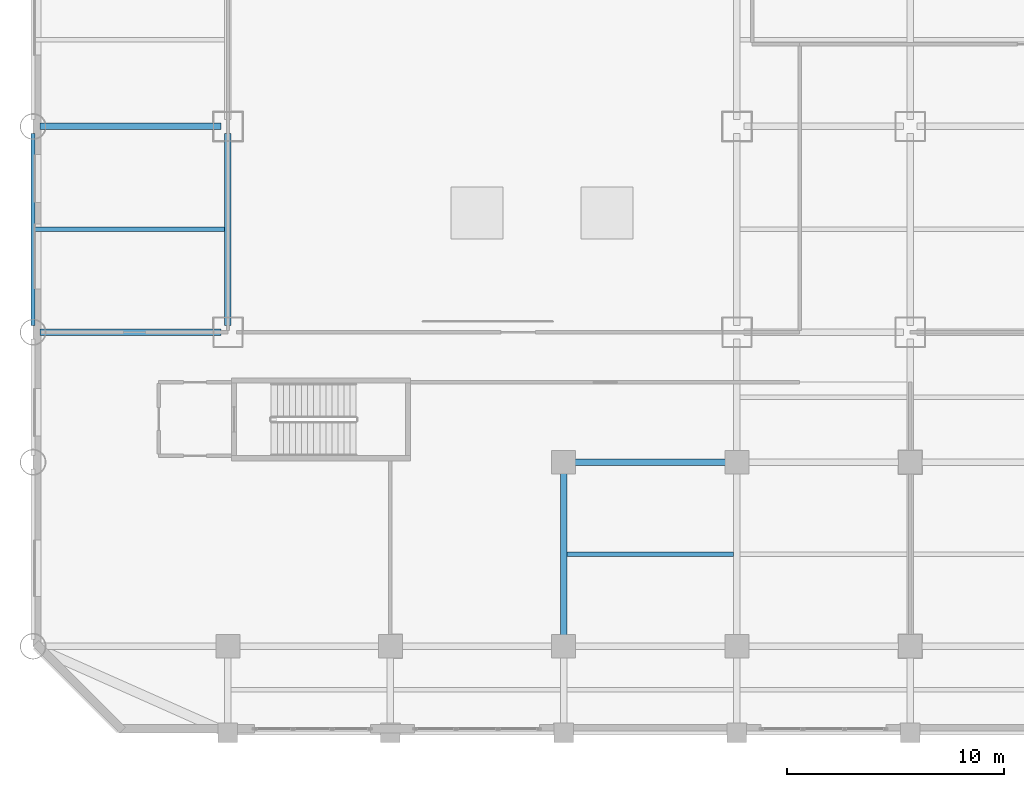
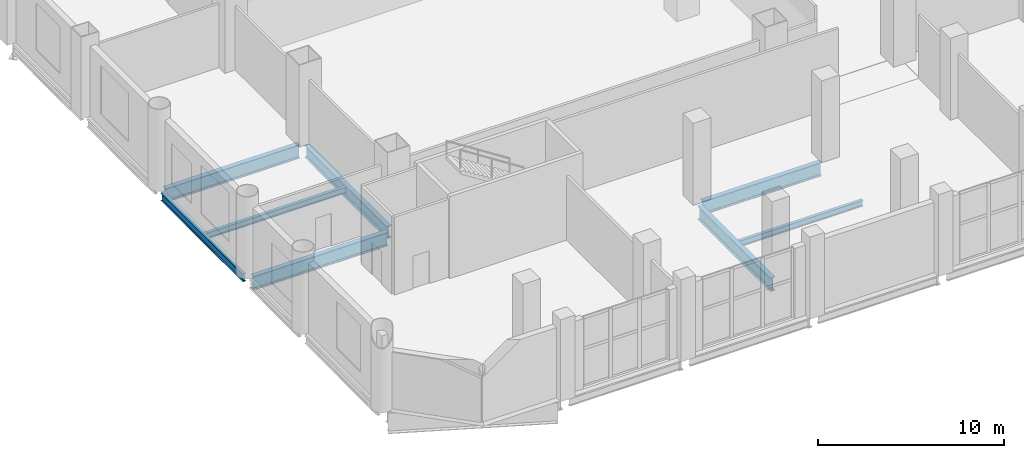
# One storey, part 5 of 18: 8 beams.
"""IFC4 building model written with IfcOpenShell, lengths in metres."""

from ifc_helpers import new_model, si_unit, direction, frame, origin, origin_2d, place, context, subcontext, project, spatial, i_section, extrude, material, material_profile, profile_set, type_object, element, save


model = new_model("IFC4")

# Units and contexts
model_context = context("Model", 3, precision=1e-05, world=origin(), true_north=direction((0.0, 1.0)))
body_context = subcontext(model_context, "Body", "Model", "MODEL_VIEW")
ifc_project = project(units=[si_unit("LENGTHUNIT", "METRE"), si_unit("AREAUNIT", "SQUARE_METRE"), si_unit("VOLUMEUNIT", "CUBIC_METRE"), si_unit("PLANEANGLEUNIT", "RADIAN"), si_unit("MASSUNIT", "GRAM", prefix="KILO")], contexts=[model_context])

# Site, building, storey
site_placement = place(None, origin())
site = spatial("IfcSite", under=ifc_project, at=site_placement, CompositionType="ELEMENT")
building_placement = place(site_placement, origin())
building = spatial("IfcBuilding", under=site, at=building_placement, Name="Qianrong Seaharbour Tower", CompositionType="ELEMENT")
storey_placement = place(building_placement, frame((0.0, 0.0, 6.0)))
storey = spatial("IfcBuildingStorey", under=building, at=storey_placement, Name="L02", CompositionType="ELEMENT", Elevation=6.0)

# Beams
ifc_material_1 = material(Name="Structural steel SN490B", Category="steel")
ifc_material_profile_1 = material_profile(ifc_material_1, i_section(OverallWidth=0.300048828125, OverallDepth=0.800048828125, WebThickness=0.013916015625, FlangeThickness=0.02587890625, FilletRadius=0.028076171875, at=origin_2d()), Name="H800x300x14x26")
ifc_profile_set_1 = profile_set([ifc_material_profile_1], Name="Structural steel SN490B")
beam_type_1 = type_object("IfcBeamType", Name="BM-G-800", PredefinedType="BEAM", material=ifc_profile_set_1)
beam_1_placement = place(storey_placement, frame((9.0, 18.820068359375, -0.679931640625), z_axis=(0.0, 1.0, 0.0), x_axis=(-1.0, 0.0, 0.0)))
element("IfcBeam", 1, at=beam_1_placement, inside=storey, type_object=beam_type_1, Name="L02 Primary Girder G2 GD-GE", PredefinedType="BEAM", context=body_context, shape_type="SweptSolid", body=[
    extrude(i_section(OverallWidth=0.300048828125, OverallDepth=0.800048828125, WebThickness=0.013916015625, FlangeThickness=0.02587890625, FilletRadius=0.028076171875, at=origin_2d()), origin(), (0.0, 0.0, 1.0), 8.85986328125),
])
ifc_material_profile_2 = material_profile(ifc_material_1, i_section(OverallWidth=0.300048828125, OverallDepth=0.89990234375, WebThickness=0.01611328125, FlangeThickness=0.028076171875, FilletRadius=0.028076171875, at=origin_2d()), Name="H900x300x16x28")
ifc_profile_set_2 = profile_set([ifc_material_profile_2], Name="Structural steel SN490B")
beam_type_2 = type_object("IfcBeamType", Name="BM-G-900", PredefinedType="BEAM", material=ifc_profile_set_2)
beam_2_placement = place(storey_placement, frame((24.820068359375, 12.5, -0.72998046875), z_axis=(1.0, 0.0, 0.0), x_axis=(0.0, 1.0, 0.0)))
element("IfcBeam", 2, at=beam_2_placement, inside=storey, type_object=beam_type_2, Name="L02 Primary Girder GC G4-G5", PredefinedType="BEAM", context=body_context, shape_type="SweptSolid", body=[
    extrude(i_section(OverallWidth=0.300048828125, OverallDepth=0.89990234375, WebThickness=0.01611328125, FlangeThickness=0.028076171875, FilletRadius=0.028076171875, at=origin_2d()), origin(), (0.0, 0.0, 1.0), 7.35986328125),
])
for number, where, z_axis, x_axis, name in (
    (3, (0.320068359375, 18.5, -0.72998046875), (1.0, 0.0, 0.0), (0.0, 1.0, 0.0), "L02 Primary Girder GD G1-G2"),
    (4, (0.320068359375, 28.0, -0.72998046875), (1.0, 0.0, 0.0), (0.0, 1.0, 0.0), "L02 Primary Girder GE G1-G2"),
):
    element("IfcBeam", number, at=place(storey_placement, frame(where, z_axis=z_axis, x_axis=x_axis)), inside=storey, type_object=beam_type_2, Name=name, PredefinedType="BEAM", context=body_context, shape_type="SweptSolid", body=[
        extrude(i_section(OverallWidth=0.300048828125, OverallDepth=0.89990234375, WebThickness=0.01611328125, FlangeThickness=0.028076171875, FilletRadius=0.028076171875, at=origin_2d()), origin(), (0.0, 0.0, 1.0), 8.35986328125),
    ])
beam_3_placement = place(storey_placement, frame((24.5, 4.320068359375, -0.72998046875), z_axis=(0.0, 1.0, 0.0), x_axis=(-1.0, 0.0, 0.0)))
element("IfcBeam", 5, at=beam_3_placement, inside=storey, type_object=beam_type_2, Name="L02 Primary Girder G4 GB-GC", PredefinedType="BEAM", context=body_context, shape_type="SweptSolid", body=[
    extrude(i_section(OverallWidth=0.300048828125, OverallDepth=0.89990234375, WebThickness=0.01611328125, FlangeThickness=0.028076171875, FilletRadius=0.028076171875, at=origin_2d()), origin(), (0.0, 0.0, 1.0), 7.85986328125),
])
ifc_material_2 = material(Name="Structural steel SN400B", Category="steel")
ifc_material_profile_3 = material_profile(ifc_material_2, i_section(OverallWidth=0.199951171875, OverallDepth=0.39990234375, WebThickness=0.008056640625, FlangeThickness=0.012939453125, FilletRadius=0.01611328125, at=origin_2d()), Name="H400x200x8x13")
ifc_profile_set_3 = profile_set([ifc_material_profile_3], Name="Structural steel SN400B")
beam_type_3 = type_object("IfcBeamType", Name="BM-J-400", PredefinedType="JOIST", material=ifc_profile_set_3)
beam_4_placement = place(storey_placement, frame((0.10009765625, 23.25, -0.47998046875), z_axis=(1.0, 0.0, 0.0), x_axis=(0.0, 1.0, 0.0)))
element("IfcBeam", 6, at=beam_4_placement, inside=storey, type_object=beam_type_3, Name="L02 Composite Floor Joist G1-G2/GD-GE", PredefinedType="JOIST", context=body_context, shape_type="SweptSolid", body=[
    extrude(i_section(OverallWidth=0.199951171875, OverallDepth=0.39990234375, WebThickness=0.008056640625, FlangeThickness=0.012939453125, FilletRadius=0.01611328125, at=origin_2d()), origin(), (0.0, 0.0, 1.0), 8.75),
])
beam_5_placement = place(storey_placement, frame((24.64990234375, 8.25, -0.47998046875), z_axis=(1.0, 0.0, 0.0), x_axis=(0.0, 1.0, 0.0)))
element("IfcBeam", 7, at=beam_5_placement, inside=storey, type_object=beam_type_3, Name="L02 Composite Floor Joist G4-G5/GB-GC", PredefinedType="JOIST", context=body_context, shape_type="SweptSolid", body=[
    extrude(i_section(OverallWidth=0.199951171875, OverallDepth=0.39990234375, WebThickness=0.008056640625, FlangeThickness=0.012939453125, FilletRadius=0.01611328125, at=origin_2d()), origin(), (0.0, 0.0, 1.0), 7.7001953125),
])
ifc_material_profile_4 = material_profile(ifc_material_1, i_section(OverallWidth=0.199951171875, OverallDepth=0.5, WebThickness=0.010009765625, FlangeThickness=0.01611328125, FilletRadius=0.02001953125, at=origin_2d()), Name="H500x200x10x16")
ifc_profile_set_4 = profile_set([ifc_material_profile_4], Name="Structural steel SN490B")
beam_type_4 = type_object("IfcBeamType", Name="BM-SP-500", PredefinedType="SPANDREL", material=ifc_profile_set_4)
beam_6_placement = place(storey_placement, frame((0.0, 18.820068359375, -0.530029296875), z_axis=(0.0, 1.0, 0.0), x_axis=(-1.0, 0.0, 0.0)))
element("IfcBeam", 8, at=beam_6_placement, inside=storey, type_object=beam_type_4, Name="L02 Spandrel Girder G1 GD-GE", PredefinedType="SPANDREL", context=body_context, shape_type="SweptSolid", body=[
    extrude(i_section(OverallWidth=0.199951171875, OverallDepth=0.5, WebThickness=0.010009765625, FlangeThickness=0.01611328125, FilletRadius=0.02001953125, at=origin_2d()), origin(), (0.0, 0.0, 1.0), 8.85986328125),
])

save(model, "model.ifc")
